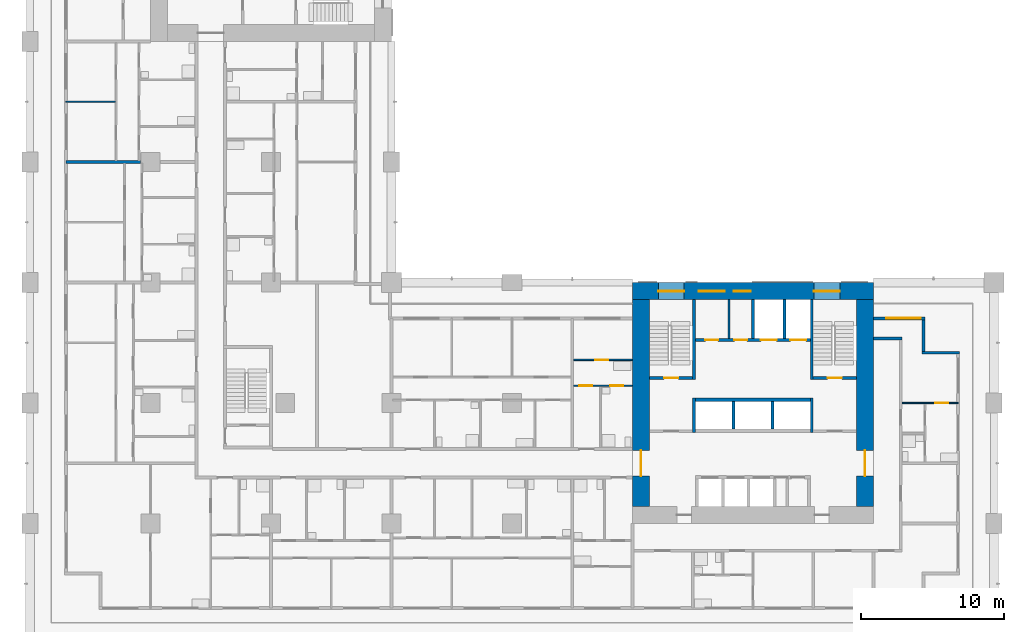
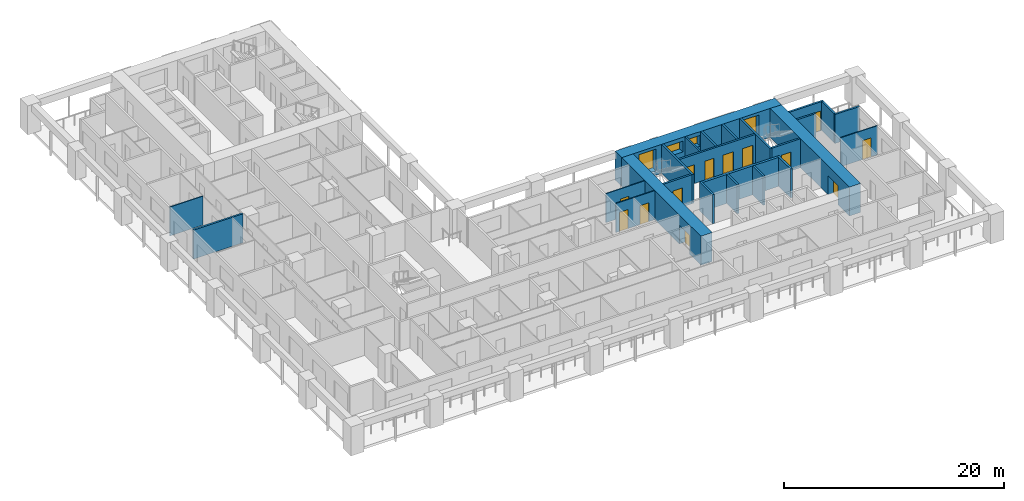
# One storey, part 7 of 19: 25 walls, 13 doors, 4 windows, 17 openings.
"""IFC4 building model written with IfcOpenShell, lengths in metres."""

import ifcopenshell
import ifcopenshell.guid

model = None  # the IFC model being written
_history = None  # IfcOwnerHistory: only IFC2X3 demands one
_inside = {}  # id of a spatial element -> (the spatial element, [elements in it])
_under = {}  # id of a project, library or spatial element -> (it, [spatial elements below it])
_declared = {}  # id of a project -> (the project, [libraries it declares])
_typed = {}  # id of a type object -> (the type object, [elements of that type])
_made_of = {}  # id of a material, layer set ... -> (it, [elements and type objects made of it])


def new_model(schema):
    """Start an empty IFC model of exactly this schema.

    Asked for "IFC4X3", IfcOpenShell would pick the latest addendum, in which some entities
    have other attributes; the version numbers below select the first issue.
    IFC2X3 requires an IfcOwnerHistory on every rooted entity: one is made here for all.
    """
    global model, _history
    if schema == "IFC4X3":
        model = ifcopenshell.file(schema_version=(4, 3, 0, 0))
    else:
        model = ifcopenshell.file(schema=schema)
    _inside.clear()
    _under.clear()
    _declared.clear()
    _typed.clear()
    _made_of.clear()
    _history = None
    if model.schema == "IFC2X3":
        org = make("IfcOrganization", Name="unknown")
        user = make(
            "IfcPersonAndOrganization",
            ThePerson=make("IfcPerson", FamilyName="unknown"),
            TheOrganization=org,
        )
        app = make(
            "IfcApplication",
            ApplicationDeveloper=org,
            Version="unknown",
            ApplicationFullName="unknown",
            ApplicationIdentifier="unknown",
        )
        _history = make(
            "IfcOwnerHistory",
            OwningUser=user,
            OwningApplication=app,
            ChangeAction="ADDED",
            CreationDate=0,
        )
    return model


def make(cls, **values):
    """One entity of the class cls with the attributes given. An attribute that is None is left unset."""
    return model.create_entity(
        cls, **{name: value for name, value in values.items() if value is not None}
    )


def rooted(cls, **values):
    """An entity with a GlobalId (a new one), such as an element, a storey or a relation."""
    return make(cls, GlobalId=ifcopenshell.guid.new(), OwnerHistory=_history, **values)


def si_unit(unit_type, name, prefix=None):
    """IfcSIUnit, for example si_unit("LENGTHUNIT", "METRE", prefix="MILLI")."""
    return make("IfcSIUnit", UnitType=unit_type, Prefix=prefix, Name=name)


def assignment(units):
    """IfcUnitAssignment: the units of a project."""
    return None if units is None else make("IfcUnitAssignment", Units=units)


def point(xyz):
    """IfcCartesianPoint."""
    return None if xyz is None else make("IfcCartesianPoint", Coordinates=xyz)


def direction(xyz):
    """IfcDirection."""
    return None if xyz is None else make("IfcDirection", DirectionRatios=xyz)


def frame(location, z_axis=None, x_axis=None):
    """IfcAxis2Placement3D, a coordinate frame: its origin and axes. An axis left out is left unset."""
    return make(
        "IfcAxis2Placement3D",
        Location=point(location),
        Axis=direction(z_axis),
        RefDirection=direction(x_axis),
    )


def frame_2d(location, x_axis=None):
    """IfcAxis2Placement2D, a coordinate frame in the plane: its origin and x axis."""
    return make(
        "IfcAxis2Placement2D", Location=point(location), RefDirection=direction(x_axis)
    )


def origin():
    """The frame at (0, 0, 0) with its axes left unset."""
    return frame((0.0, 0.0, 0.0))


def place(relative_to, where):
    """IfcLocalPlacement: puts the frame where relative to a parent placement (None: the world)."""
    return make(
        "IfcLocalPlacement", PlacementRelTo=relative_to, RelativePlacement=where
    )


def context(
    kind, dimensions, precision=None, world=None, true_north=None, identifier=None
):
    """IfcGeometricRepresentationContext, for example the 3D "Model" context."""
    return make(
        "IfcGeometricRepresentationContext",
        ContextIdentifier=identifier,
        ContextType=kind,
        CoordinateSpaceDimension=dimensions,
        Precision=precision,
        WorldCoordinateSystem=world,
        TrueNorth=true_north,
    )


def subcontext(parent, identifier, kind, view, scale=None):
    """IfcGeometricRepresentationSubContext, for example "Body" below "Model"."""
    return make(
        "IfcGeometricRepresentationSubContext",
        ContextIdentifier=identifier,
        ContextType=kind,
        ParentContext=parent,
        TargetScale=scale,
        TargetView=view,
    )


def project(units=None, contexts=None):
    """IfcProject with its units and contexts."""
    return rooted(
        "IfcProject",
        Name="project",
        RepresentationContexts=contexts,
        UnitsInContext=assignment(units),
    )


def spatial(cls, under=None, at=None, **own):
    """A site, building, storey or space (cls), placed at a placement, below another one or the project."""
    s = rooted(cls, ObjectPlacement=at, **own)
    if under is not None:
        _under.setdefault(under.id(), (under, []))[1].append(s)
    return s


def profile(cls, at=None, kind="AREA", **sizes):
    """A parametric profile (cls). Its sizes go by their IFC names, for example OverallWidth=200.0."""
    return make(cls, ProfileType=kind, Position=at, **sizes)


def rectangle(**sizes):
    """IfcRectangleProfileDef."""
    return profile("IfcRectangleProfileDef", **sizes)


def extrude(swept, where, along, depth):
    """IfcExtrudedAreaSolid: the profile swept, set in the frame where, extruded along a direction by depth."""
    return make(
        "IfcExtrudedAreaSolid",
        SweptArea=swept,
        Position=where,
        ExtrudedDirection=direction(along),
        Depth=depth,
    )


def shape(context_of_items, identifier, shape_type, items):
    """IfcShapeRepresentation: the items that make up one representation, for example the "Body"."""
    return make(
        "IfcShapeRepresentation",
        ContextOfItems=context_of_items,
        RepresentationIdentifier=identifier,
        RepresentationType=shape_type,
        Items=items,
    )


def material(Name=None, Category=None):
    """IfcMaterial."""
    return make("IfcMaterial", Name=Name, Category=Category)


def layer(
    of_material, thickness, ventilated=None, Name=None, Category=None, Priority=None
):
    """IfcMaterialLayer: one layer of a wall or slab, of a material (None: an air gap)."""
    return make(
        "IfcMaterialLayer",
        Material=of_material,
        LayerThickness=thickness,
        IsVentilated=ventilated,
        Name=Name,
        Category=Category,
        Priority=Priority,
    )


def layer_set(layers, Name=None):
    """IfcMaterialLayerSet."""
    return make("IfcMaterialLayerSet", MaterialLayers=layers, LayerSetName=Name)


def made_of(thing, what):
    """Note that an element or type object is made of a material, layer set ...; save() writes the relation."""
    if what is not None:
        _made_of.setdefault(what.id(), (what, []))[1].append(thing)
    return thing


def type_object(cls, material=None, **own):
    """A type object (cls), such as IfcWallType, which elements share."""
    return made_of(rooted(cls, **own), material)


def element(
    cls,
    number,
    at=None,
    inside=None,
    cuts=None,
    type_object=None,
    material=None,
    context=None,
    identifier="Body",
    shape_type=None,
    held_by="IfcProductDefinitionShape",
    body=None,
    shapes=None,
    **own,
):
    """One element of the class cls, such as IfcWall. Its Tag is "e" and its number.

    at: its placement. inside: the storey or other place that contains it. cuts: it is an
    opening in that element (IfcRelVoidsElement). A single representation is given by context,
    identifier, shape_type and body (its items); several are given by shapes. held_by: the class
    of the entity that holds the representations. save() writes the other relations.
    """
    e = rooted(cls, Tag="e%d" % number, ObjectPlacement=at, **own)
    if body is not None:
        shapes = [shape(context, identifier, shape_type, body)]
    if shapes is not None:
        e.Representation = make(held_by, Representations=shapes)
    if inside is not None:
        _inside.setdefault(inside.id(), (inside, []))[1].append(e)
    if cuts is not None:
        rooted(
            "IfcRelVoidsElement", RelatingBuildingElement=cuts, RelatedOpeningElement=e
        )
    if type_object is not None:
        _typed.setdefault(type_object.id(), (type_object, []))[1].append(e)
    return made_of(e, material)


def fill(opening, filler):
    """IfcRelFillsElement: the door or window that sits in an opening."""
    return rooted(
        "IfcRelFillsElement",
        RelatingOpeningElement=opening,
        RelatedBuildingElement=filler,
    )


def aggregate(whole, parts):
    """IfcRelAggregates: a whole, such as a stair, and the parts it consists of."""
    return rooted("IfcRelAggregates", RelatingObject=whole, RelatedObjects=parts)


def save(model, path):
    """Write the relations noted so far, then the file.

    IfcRelAggregates (storeys below a building ...), IfcRelContainedInSpatialStructure (elements
    in a storey), IfcRelDefinesByType, IfcRelAssociatesMaterial and IfcRelDeclares: one each for
    every whole, place, type object, material and project.
    """
    for whole, parts in _under.values():
        aggregate(whole, parts)
    for where, things in _inside.values():
        rooted(
            "IfcRelContainedInSpatialStructure",
            RelatedElements=things,
            RelatingStructure=where,
        )
    for kind, things in _typed.values():
        rooted("IfcRelDefinesByType", RelatedObjects=things, RelatingType=kind)
    for what, things in _made_of.values():
        rooted("IfcRelAssociatesMaterial", RelatedObjects=things, RelatingMaterial=what)
    for by, libraries in _declared.values():
        rooted("IfcRelDeclares", RelatingContext=by, RelatedDefinitions=libraries)
    model.write(path)


model = new_model("IFC4")

# Units and contexts
model_context = context("Model", 3, precision=1e-05, world=origin(), true_north=direction((0.0, 1.0)))
body_context = subcontext(model_context, "Body", "Model", "MODEL_VIEW")
ifc_project = project(units=[si_unit("LENGTHUNIT", "METRE"), si_unit("AREAUNIT", "SQUARE_METRE"), si_unit("VOLUMEUNIT", "CUBIC_METRE"), si_unit("PLANEANGLEUNIT", "RADIAN"), si_unit("MASSUNIT", "GRAM", prefix="KILO")], contexts=[model_context])

# Site, building, storey
site_placement = place(None, origin())
site = spatial("IfcSite", under=ifc_project, at=site_placement, CompositionType="ELEMENT")
building_placement = place(site_placement, origin())
building = spatial("IfcBuilding", under=site, at=building_placement, Name="Vermilion Gate Residences", CompositionType="ELEMENT")
storey_placement = place(building_placement, frame((0.0, 0.0, 53.199951171875)))
storey = spatial("IfcBuildingStorey", under=building, at=storey_placement, Name="L12", CompositionType="ELEMENT", Elevation=53.199951171875)

# Walls
ifc_material_1 = material(Name="Masonry blockwork", Category="masonry")
ifc_layer_1 = layer(ifc_material_1, 0.14990234375)
ifc_layer_set_1 = layer_set([ifc_layer_1], Name="BLOCKWORK PARTITION 150 EI 120")
wall_type_1 = type_object("IfcWallType", Name="BLOCKWORK PARTITION 150 EI 120", PredefinedType="PARTITIONING", material=ifc_layer_set_1)
wall_1_placement = place(storey_placement, frame((48.72509765625, 21.300048828125, 0.0), z_axis=(0.0, 0.0, 1.0), x_axis=(0.0, 1.0, 0.0)))
element("IfcWall", 1, at=wall_1_placement, inside=storey, type_object=wall_type_1, Name="Core room partition A12-NR-P0", PredefinedType="PARTITIONING", context=body_context, shape_type="SweptSolid", body=[
    extrude(rectangle(XDim=2.699951171875, YDim=0.14990234375, at=frame_2d((1.35009765625, 0.0))), origin(), (0.0, 0.0, 1.0), 3.219970703125),
])
ifc_material_2 = material(Name="Insulated steel stud wall with terracotta rainscreen", Category="masonry")
ifc_layer_2 = layer(ifc_material_2, 0.199951171875)
ifc_layer_set_2 = layer_set([ifc_layer_2], Name="EXTERNAL WALL 200 TERRACOTTA RAINSCREEN")
wall_type_2 = type_object("IfcWallType", Name="EXTERNAL WALL 200 TERRACOTTA RAINSCREEN", PredefinedType="SOLIDWALL", material=ifc_layer_set_2)
wall_2_placement = place(storey_placement, frame((64.800048828125, 20.300048828125, 0.0), z_axis=(0.0, 0.0, 1.0), x_axis=(-1.0, 0.0, 0.0)))
element("IfcWall", 2, at=wall_2_placement, inside=storey, type_object=wall_type_2, Name="External wall", PredefinedType="SOLIDWALL", context=body_context, shape_type="SweptSolid", body=[
    extrude(rectangle(XDim=2.60009765625, YDim=0.199951171875, at=frame_2d((1.300048828125, 0.0))), origin(), (0.0, 0.0, 1.0), 3.219970703125),
])
wall_3_placement = place(storey_placement, frame((62.300048828125, 20.39990234375, 0.0), z_axis=(0.0, 0.0, 1.0), x_axis=(0.0, 1.0, 0.0)))
element("IfcWall", 3, at=wall_3_placement, inside=storey, type_object=wall_type_2, Name="External wall", PredefinedType="SOLIDWALL", context=body_context, shape_type="SweptSolid", body=[
    extrude(rectangle(XDim=2.2001953125, YDim=0.199951171875, at=frame_2d((1.10009765625, 0.0))), origin(), (0.0, 0.0, 1.0), 3.219970703125),
])

# Wall, opening, door
wall_4_placement = place(storey_placement, frame((62.39990234375, 22.699951171875, 0.0), z_axis=(0.0, 0.0, 1.0), x_axis=(-1.0, 0.0, 0.0)))
wall_4 = element("IfcWall", 4, at=wall_4_placement, inside=storey, type_object=wall_type_2, Name="External wall", PredefinedType="SOLIDWALL", context=body_context, shape_type="SweptSolid", body=[
    extrude(rectangle(XDim=3.599853515625, YDim=0.199951171875, at=frame_2d((1.7998046875, 0.0))), origin(), (0.0, 0.0, 1.0), 3.219970703125),
])
opening_1_placement = place(wall_4_placement, frame((0.300048828125, 0.0, 0.0)))
opening_1 = element("IfcOpeningElement", 5, at=opening_1_placement, cuts=wall_4, Name="Opening DE12032", PredefinedType="OPENING", context=body_context, shape_type="SweptSolid", body=[
    extrude(rectangle(XDim=2.39990234375, YDim=2.199951171875, at=frame_2d((1.199951171875, 1.10009765625))), frame((0.0, 0.10986328125, 0.0), z_axis=(0.0, -1.0, 0.0), x_axis=(1.0, 0.0, 0.0)), (0.0, 0.0, 1.0), 0.219970703125),
])
ifc_material_3 = material(Name="Aluminium and clear glass", Category="aluminium")
door_type_1 = type_object("IfcDoorType", Name="SLIDING GLAZED DOOR 2400 X 2200", OperationType="DOUBLE_DOOR_SLIDING", PredefinedType="DOOR", material=ifc_material_3)
door_1_placement = place(opening_1_placement, origin())
door_1 = element("IfcDoor", 6, at=door_1_placement, inside=storey, type_object=door_type_1, Name="Loggia sliding door", OperationType="DOUBLE_DOOR_SLIDING", OverallHeight=2.199951171875, OverallWidth=2.39990234375, PredefinedType="DOOR", context=body_context, shape_type="SweptSolid", body=[
    extrude(rectangle(XDim=2.39990234375, YDim=2.199951171875, at=frame_2d((1.199951171875, 1.10009765625))), frame((0.0, 0.02490234375, 0.0), z_axis=(0.0, -1.0, 0.0), x_axis=(1.0, 0.0, 0.0)), (0.0, 0.0, 1.0), 0.050048828125),
])
fill(opening_1, door_1)

ifc_material_4 = material(Name="Plasterboard on steel studs", Category="steel")
ifc_layer_3 = layer(ifc_material_4, 0.10009765625)
ifc_layer_set_3 = layer_set([ifc_layer_3], Name="PARTITION 100")
wall_type_3 = type_object("IfcWallType", Name="PARTITION 100", PredefinedType="PARTITIONING", material=ifc_layer_set_3)
wall_5_placement = place(storey_placement, frame((60.800048828125, 16.800048828125, 0.0), z_axis=(0.0, 0.0, 1.0), x_axis=(1.0, 0.0, 0.0)))
wall_5 = element("IfcWall", 7, at=wall_5_placement, inside=storey, type_object=wall_type_3, Name="Partition", PredefinedType="PARTITIONING", context=body_context, shape_type="SweptSolid", body=[
    extrude(rectangle(XDim=3.89990234375, YDim=0.10009765625, at=frame_2d((1.949951171875, 0.0))), origin(), (0.0, 0.0, 1.0), 3.219970703125),
])
opening_2_placement = place(wall_5_placement, frame((2.300048828125, 0.0, 0.0)))
opening_2 = element("IfcOpeningElement", 8, at=opening_2_placement, cuts=wall_5, Name="Opening DA10031", PredefinedType="OPENING", context=body_context, shape_type="SweptSolid", body=[
    extrude(rectangle(XDim=0.89990234375, YDim=2.10009765625, at=frame_2d((0.449951171875, 1.050048828125))), frame((0.0, 0.06005859375, 0.0), z_axis=(0.0, -1.0, 0.0), x_axis=(1.0, 0.0, 0.0)), (0.0, 0.0, 1.0), 0.1201171875),
])
ifc_material_5 = material(Name="Timber", Category="wood")
door_type_2 = type_object("IfcDoorType", Name="INTERIOR DOOR 900 X 2100", OperationType="SINGLE_SWING_LEFT", PredefinedType="DOOR", material=ifc_material_5)
door_2_placement = place(opening_2_placement, frame((0.89990234375, 0.0, 0.0), z_axis=(0.0, 0.0, 1.0), x_axis=(-1.0, 0.0, 0.0)))
door_2 = element("IfcDoor", 9, at=door_2_placement, inside=storey, type_object=door_type_2, Name="Interior door", OperationType="SINGLE_SWING_LEFT", OverallHeight=2.10009765625, OverallWidth=0.89990234375, PredefinedType="DOOR", context=body_context, shape_type="SweptSolid", body=[
    extrude(rectangle(XDim=0.89990234375, YDim=2.10009765625, at=frame_2d((0.449951171875, 1.050048828125))), frame((0.0, 0.02490234375, 0.0), z_axis=(0.0, -1.0, 0.0), x_axis=(1.0, 0.0, 0.0)), (0.0, 0.0, 1.0), 0.050048828125),
])
fill(opening_2, door_2)

# Wall, openings, doors
wall_6_placement = place(storey_placement, frame((37.89990234375, 18.0, 0.0), z_axis=(0.0, 0.0, 1.0), x_axis=(1.0, 0.0, 0.0)))
wall_6 = element("IfcWall", 10, at=wall_6_placement, inside=storey, type_object=wall_type_3, Name="Partition", PredefinedType="PARTITIONING", context=body_context, shape_type="SweptSolid", body=[
    extrude(rectangle(XDim=4.10009765625, YDim=0.10009765625, at=frame_2d((2.050048828125, 0.0))), origin(), (0.0, 0.0, 1.0), 3.219970703125),
])
opening_3_placement = place(wall_6_placement, frame((0.39990234375, 0.0, 0.0)))
opening_3 = element("IfcOpeningElement", 11, at=opening_3_placement, cuts=wall_6, Name="Opening DA10036", PredefinedType="OPENING", context=body_context, shape_type="SweptSolid", body=[
    extrude(rectangle(XDim=0.89990234375, YDim=2.10009765625, at=frame_2d((0.449951171875, 1.050048828125))), frame((0.0, 0.06005859375, 0.0), z_axis=(0.0, -1.0, 0.0), x_axis=(1.0, 0.0, 0.0)), (0.0, 0.0, 1.0), 0.1201171875),
])
opening_4_placement = place(wall_6_placement, frame((2.56005859375, 0.0, 0.0)))
opening_4 = element("IfcOpeningElement", 12, at=opening_4_placement, cuts=wall_6, Name="Opening DA10037", PredefinedType="OPENING", context=body_context, shape_type="SweptSolid", body=[
    extrude(rectangle(XDim=0.89990234375, YDim=2.10009765625, at=frame_2d((0.449951171875, 1.050048828125))), frame((0.0, 0.06005859375, 0.0), z_axis=(0.0, -1.0, 0.0), x_axis=(1.0, 0.0, 0.0)), (0.0, 0.0, 1.0), 0.1201171875),
])
door_3_placement = place(opening_3_placement, origin())
door_3 = element("IfcDoor", 13, at=door_3_placement, inside=storey, type_object=door_type_2, Name="Interior door", OperationType="SINGLE_SWING_LEFT", OverallHeight=2.10009765625, OverallWidth=0.89990234375, PredefinedType="DOOR", context=body_context, shape_type="SweptSolid", body=[
    extrude(rectangle(XDim=0.89990234375, YDim=2.10009765625, at=frame_2d((0.449951171875, 1.050048828125))), frame((0.0, 0.02490234375, 0.0), z_axis=(0.0, -1.0, 0.0), x_axis=(1.0, 0.0, 0.0)), (0.0, 0.0, 1.0), 0.050048828125),
])
fill(opening_3, door_3)
door_4_placement = place(opening_4_placement, origin())
door_4 = element("IfcDoor", 14, at=door_4_placement, inside=storey, type_object=door_type_2, Name="Interior door", OperationType="SINGLE_SWING_RIGHT", OverallHeight=2.10009765625, OverallWidth=0.89990234375, PredefinedType="DOOR", context=body_context, shape_type="SweptSolid", body=[
    extrude(rectangle(XDim=0.89990234375, YDim=2.10009765625, at=frame_2d((0.449951171875, 1.050048828125))), frame((0.0, 0.02490234375, 0.0), z_axis=(0.0, -1.0, 0.0), x_axis=(1.0, 0.0, 0.0)), (0.0, 0.0, 1.0), 0.050048828125),
])
fill(opening_4, door_4)

# Wall, opening, door
wall_7_placement = place(storey_placement, frame((37.89990234375, 19.800048828125, 0.0), z_axis=(0.0, 0.0, 1.0), x_axis=(1.0, 0.0, 0.0)))
wall_7 = element("IfcWall", 15, at=wall_7_placement, inside=storey, type_object=wall_type_3, Name="Partition", PredefinedType="PARTITIONING", context=body_context, shape_type="SweptSolid", body=[
    extrude(rectangle(XDim=4.10009765625, YDim=0.10009765625, at=frame_2d((2.050048828125, 0.0))), origin(), (0.0, 0.0, 1.0), 3.219970703125),
])
opening_5_placement = place(wall_7_placement, frame((1.5, 0.0, 0.0)))
opening_5 = element("IfcOpeningElement", 16, at=opening_5_placement, cuts=wall_7, Name="Opening DA10041", PredefinedType="OPENING", context=body_context, shape_type="SweptSolid", body=[
    extrude(rectangle(XDim=0.89990234375, YDim=2.10009765625, at=frame_2d((0.449951171875, 1.050048828125))), frame((0.0, 0.06005859375, 0.0), z_axis=(0.0, -1.0, 0.0), x_axis=(1.0, 0.0, 0.0)), (0.0, 0.0, 1.0), 0.1201171875),
])
door_5_placement = place(opening_5_placement, frame((0.89990234375, 0.0, 0.0), z_axis=(0.0, 0.0, 1.0), x_axis=(-1.0, 0.0, 0.0)))
door_5 = element("IfcDoor", 17, at=door_5_placement, inside=storey, type_object=door_type_2, Name="Interior door", OperationType="SINGLE_SWING_LEFT", OverallHeight=2.10009765625, OverallWidth=0.89990234375, PredefinedType="DOOR", context=body_context, shape_type="SweptSolid", body=[
    extrude(rectangle(XDim=0.89990234375, YDim=2.10009765625, at=frame_2d((0.449951171875, 1.050048828125))), frame((0.0, 0.02490234375, 0.0), z_axis=(0.0, -1.0, 0.0), x_axis=(1.0, 0.0, 0.0)), (0.0, 0.0, 1.0), 0.050048828125),
])
fill(opening_5, door_5)

# Walls
wall_8_placement = place(storey_placement, frame((2.5, 37.800048828125, 0.0), z_axis=(0.0, 0.0, 1.0), x_axis=(1.0, 0.0, 0.0)))
element("IfcWall", 18, at=wall_8_placement, inside=storey, type_object=wall_type_3, Name="Partition", PredefinedType="PARTITIONING", context=body_context, shape_type="SweptSolid", body=[
    extrude(rectangle(XDim=3.449951171875, YDim=0.10009765625, at=frame_2d((1.72509765625, 0.0))), origin(), (0.0, 0.0, 1.0), 3.219970703125),
])
ifc_material_6 = material(Name="Fire-rated plasterboard on steel studs", Category="steel")
ifc_layer_4 = layer(ifc_material_6, 0.199951171875)
ifc_layer_set_4 = layer_set([ifc_layer_4], Name="PARTY WALL 200 EI 120")
wall_type_4 = type_object("IfcWallType", Name="PARTY WALL 200 EI 120", PredefinedType="PARTITIONING", material=ifc_layer_set_4)
wall_9_placement = place(storey_placement, frame((58.800048828125, 21.300048828125, 0.0), z_axis=(0.0, 0.0, 1.0), x_axis=(1.0, 0.0, 0.0)))
element("IfcWall", 19, at=wall_9_placement, inside=storey, type_object=wall_type_4, Name="Party and corridor wall", PredefinedType="PARTITIONING", context=body_context, shape_type="SweptSolid", body=[
    extrude(rectangle(XDim=2.0, YDim=0.199951171875, at=frame_2d((1.0, 0.0))), origin(), (0.0, 0.0, 1.0), 3.219970703125),
])
wall_10_placement = place(storey_placement, frame((2.5, 33.60009765625, 0.0), z_axis=(0.0, 0.0, 1.0), x_axis=(1.0, 0.0, 0.0)))
element("IfcWall", 20, at=wall_10_placement, inside=storey, type_object=wall_type_4, Name="Party and corridor wall", PredefinedType="PARTITIONING", context=body_context, shape_type="SweptSolid", body=[
    extrude(rectangle(XDim=5.199951171875, YDim=0.199951171875, at=frame_2d((2.60009765625, 0.0))), origin(), (0.0, 0.0, 1.0), 3.219970703125),
])
ifc_material_7 = material(Name="Concrete C60", Category="concrete")
ifc_layer_5 = layer(ifc_material_7, 0.199951171875)
ifc_layer_set_5 = layer_set([ifc_layer_5], Name="RC CORE INTERNAL WALL 200 C60")
wall_type_5 = type_object("IfcWallType", Name="RC CORE INTERNAL WALL 200 C60", PredefinedType="SHEAR", material=ifc_layer_set_5)
for number, where, z_axis, x_axis, name in (
    (21, (49.033447265625, 15.0, 0.0), (0.0, 0.0, 1.0), (0.0, 1.0, 0.0), "Core internal wall A12-HR-D1"),
    (22, (51.7666015625, 15.0, 0.0), (0.0, 0.0, 1.0), (0.0, 1.0, 0.0), "Core internal wall A12-HR-D2"),
):
    element("IfcWall", number, at=place(storey_placement, frame(where, z_axis=z_axis, x_axis=x_axis)), inside=storey, type_object=wall_type_5, Name=name, PredefinedType="SHEAR", context=body_context, shape_type="SweptSolid", body=[
        extrude(rectangle(XDim=1.89990234375, YDim=0.199951171875, at=frame_2d((0.949951171875, 0.0))), origin(), (0.0, 0.0, 1.0), 3.219970703125),
    ])
for number, where, z_axis, x_axis, name in (
    (23, (50.39990234375, 21.300048828125, 0.0), (0.0, 0.0, 1.0), (0.0, 1.0, 0.0), "Core internal wall A12-FF-D0"),
    (24, (52.60009765625, 21.300048828125, 0.0), (0.0, 0.0, 1.0), (0.0, 1.0, 0.0), "Core internal wall A12-FF-D1"),
):
    element("IfcWall", number, at=place(storey_placement, frame(where, z_axis=z_axis, x_axis=x_axis)), inside=storey, type_object=wall_type_5, Name=name, PredefinedType="SHEAR", context=body_context, shape_type="SweptSolid", body=[
        extrude(rectangle(XDim=2.699951171875, YDim=0.199951171875, at=frame_2d((1.35009765625, 0.0))), origin(), (0.0, 0.0, 1.0), 3.219970703125),
    ])

# Wall, openings, doors
wall_11_placement = place(storey_placement, frame((46.39990234375, 21.199951171875, 0.0), z_axis=(0.0, 0.0, 1.0), x_axis=(1.0, 0.0, 0.0)))
wall_11 = element("IfcWall", 25, at=wall_11_placement, inside=storey, type_object=wall_type_5, Name="Core internal wall A12-FF-F", PredefinedType="SHEAR", context=body_context, shape_type="SweptSolid", body=[
    extrude(rectangle(XDim=8.0, YDim=0.199951171875, at=frame_2d((4.0, 0.0))), origin(), (0.0, 0.0, 1.0), 3.219970703125),
])
opening_6_placement = place(wall_11_placement, frame((0.675048828125, 0.0, 0.0)))
opening_6 = element("IfcOpeningElement", 26, at=opening_6_placement, cuts=wall_11, Name="Opening DK12010", PredefinedType="OPENING", context=body_context, shape_type="SweptSolid", body=[
    extrude(rectangle(XDim=0.89990234375, YDim=2.10009765625, at=frame_2d((0.449951171875, 1.050048828125))), frame((0.0, 0.10986328125, 0.0), z_axis=(0.0, -1.0, 0.0), x_axis=(1.0, 0.0, 0.0)), (0.0, 0.0, 1.0), 0.219970703125),
])
opening_7_placement = place(wall_11_placement, frame((2.699951171875, 0.0, 0.0)))
opening_7 = element("IfcOpeningElement", 27, at=opening_7_placement, cuts=wall_11, Name="Opening DK12011", PredefinedType="OPENING", context=body_context, shape_type="SweptSolid", body=[
    extrude(rectangle(XDim=0.89990234375, YDim=2.10009765625, at=frame_2d((0.449951171875, 1.050048828125))), frame((0.0, 0.10986328125, 0.0), z_axis=(0.0, -1.0, 0.0), x_axis=(1.0, 0.0, 0.0)), (0.0, 0.0, 1.0), 0.219970703125),
])
opening_8_placement = place(wall_11_placement, frame((4.550048828125, 0.0, 0.0)))
opening_8 = element("IfcOpeningElement", 28, at=opening_8_placement, cuts=wall_11, Name="Opening LD", PredefinedType="OPENING", context=body_context, shape_type="SweptSolid", body=[
    extrude(rectangle(XDim=1.10009765625, YDim=2.10009765625, at=frame_2d((0.550048828125, 1.050048828125))), frame((0.0, 0.10986328125, 0.0), z_axis=(0.0, -1.0, 0.0), x_axis=(1.0, 0.0, 0.0)), (0.0, 0.0, 1.0), 0.219970703125),
])
opening_9_placement = place(wall_11_placement, frame((6.60009765625, 0.0, 0.0)))
opening_9 = element("IfcOpeningElement", 29, at=opening_9_placement, cuts=wall_11, Name="Opening LD", PredefinedType="OPENING", context=body_context, shape_type="SweptSolid", body=[
    extrude(rectangle(XDim=1.10009765625, YDim=2.10009765625, at=frame_2d((0.550048828125, 1.050048828125))), frame((0.0, 0.10986328125, 0.0), z_axis=(0.0, -1.0, 0.0), x_axis=(1.0, 0.0, 0.0)), (0.0, 0.0, 1.0), 0.219970703125),
])
ifc_material_8 = material(Name="Stainless steel", Category="steel")
door_type_3 = type_object("IfcDoorType", Name="LIFT LANDING DOOR E60 1100 X 2100", OperationType="DOUBLE_DOOR_SLIDING", PredefinedType="DOOR", material=ifc_material_8)
door_6_placement = place(opening_8_placement, origin())
door_6 = element("IfcDoor", 30, at=door_6_placement, inside=storey, type_object=door_type_3, Name="Lift landing door LFA1", OperationType="DOUBLE_DOOR_SLIDING", OverallHeight=2.10009765625, OverallWidth=1.10009765625, PredefinedType="DOOR", context=body_context, shape_type="SweptSolid", body=[
    extrude(rectangle(XDim=1.10009765625, YDim=2.10009765625, at=frame_2d((0.550048828125, 1.050048828125))), frame((0.0, 0.02490234375, 0.0), z_axis=(0.0, -1.0, 0.0), x_axis=(1.0, 0.0, 0.0)), (0.0, 0.0, 1.0), 0.050048828125),
])
fill(opening_8, door_6)
door_7_placement = place(opening_9_placement, origin())
door_7 = element("IfcDoor", 31, at=door_7_placement, inside=storey, type_object=door_type_3, Name="Lift landing door LCA1", OperationType="DOUBLE_DOOR_SLIDING", OverallHeight=2.10009765625, OverallWidth=1.10009765625, PredefinedType="DOOR", context=body_context, shape_type="SweptSolid", body=[
    extrude(rectangle(XDim=1.10009765625, YDim=2.10009765625, at=frame_2d((0.550048828125, 1.050048828125))), frame((0.0, 0.02490234375, 0.0), z_axis=(0.0, -1.0, 0.0), x_axis=(1.0, 0.0, 0.0)), (0.0, 0.0, 1.0), 0.050048828125),
])
fill(opening_9, door_7)
ifc_material_9 = material(Name="Steel", Category="steel")
door_type_4 = type_object("IfcDoorType", Name="SERVICE ROOM DOOR FD60 900 X 2100", OperationType="SINGLE_SWING_LEFT", PredefinedType="DOOR", material=ifc_material_9)
door_8_placement = place(opening_6_placement, origin())
door_8 = element("IfcDoor", 32, at=door_8_placement, inside=storey, type_object=door_type_4, Name="Parcel room A12", OperationType="SINGLE_SWING_LEFT", OverallHeight=2.10009765625, OverallWidth=0.89990234375, PredefinedType="DOOR", context=body_context, shape_type="SweptSolid", body=[
    extrude(rectangle(XDim=0.89990234375, YDim=2.10009765625, at=frame_2d((0.449951171875, 1.050048828125))), frame((0.0, 0.02490234375, 0.0), z_axis=(0.0, -1.0, 0.0), x_axis=(1.0, 0.0, 0.0)), (0.0, 0.0, 1.0), 0.050048828125),
])
fill(opening_6, door_8)
door_9_placement = place(opening_7_placement, frame((0.89990234375, 0.0, 0.0), z_axis=(0.0, 0.0, 1.0), x_axis=(-1.0, 0.0, 0.0)))
door_9 = element("IfcDoor", 33, at=door_9_placement, inside=storey, type_object=door_type_4, Name="Electrical room A12", OperationType="SINGLE_SWING_RIGHT", OverallHeight=2.10009765625, OverallWidth=0.89990234375, PredefinedType="DOOR", context=body_context, shape_type="SweptSolid", body=[
    extrude(rectangle(XDim=0.89990234375, YDim=2.10009765625, at=frame_2d((0.449951171875, 1.050048828125))), frame((0.0, 0.02490234375, 0.0), z_axis=(0.0, -1.0, 0.0), x_axis=(1.0, 0.0, 0.0)), (0.0, 0.0, 1.0), 0.050048828125),
])
fill(opening_7, door_9)

# Walls
wall_12_placement = place(storey_placement, frame((46.300048828125, 14.75, 0.0), z_axis=(0.0, 0.0, 1.0), x_axis=(0.0, 1.0, 0.0)))
element("IfcWall", 34, at=wall_12_placement, inside=storey, type_object=wall_type_5, Name="Core internal wall A12-WDIV1", PredefinedType="SHEAR", context=body_context, shape_type="SweptSolid", body=[
    extrude(rectangle(XDim=2.39990234375, YDim=0.199951171875, at=frame_2d((1.199951171875, 0.0))), origin(), (0.0, 0.0, 1.0), 3.219970703125),
])
wall_13_placement = place(storey_placement, frame((46.300048828125, 18.449951171875, 0.0), z_axis=(0.0, 0.0, 1.0), x_axis=(0.0, 1.0, 0.0)))
element("IfcWall", 35, at=wall_13_placement, inside=storey, type_object=wall_type_5, Name="Core internal wall A12-WDIV2", PredefinedType="SHEAR", context=body_context, shape_type="SweptSolid", body=[
    extrude(rectangle(XDim=5.550048828125, YDim=0.199951171875, at=frame_2d((2.77490234375, 0.0))), origin(), (0.0, 0.0, 1.0), 3.219970703125),
])

# Wall, opening, door
wall_14_placement = place(storey_placement, frame((43.199951171875, 18.550048828125, 0.0), z_axis=(0.0, 0.0, 1.0), x_axis=(1.0, 0.0, 0.0)))
wall_14 = element("IfcWall", 36, at=wall_14_placement, inside=storey, type_object=wall_type_5, Name="Core internal wall A12-STW-S", PredefinedType="SHEAR", context=body_context, shape_type="SweptSolid", body=[
    extrude(rectangle(XDim=3.0, YDim=0.199951171875, at=frame_2d((1.5, 0.0))), origin(), (0.0, 0.0, 1.0), 3.219970703125),
])
opening_10_placement = place(wall_14_placement, frame((1.0, 0.0, 0.0)))
opening_10 = element("IfcOpeningElement", 37, at=opening_10_placement, cuts=wall_14, Name="Opening DK12015", PredefinedType="OPENING", context=body_context, shape_type="SweptSolid", body=[
    extrude(rectangle(XDim=1.0, YDim=2.10009765625, at=frame_2d((0.5, 1.050048828125))), frame((0.0, 0.10986328125, 0.0), z_axis=(0.0, -1.0, 0.0), x_axis=(1.0, 0.0, 0.0)), (0.0, 0.0, 1.0), 0.219970703125),
])
ifc_material_10 = material(Name="Steel", Category="steel")
door_type_5 = type_object("IfcDoorType", Name="FIRE DOOR FD60 1000 X 2100", OperationType="SINGLE_SWING_LEFT", PredefinedType="DOOR", material=ifc_material_10)
door_10_placement = place(opening_10_placement, origin())
door_10 = element("IfcDoor", 38, at=door_10_placement, inside=storey, type_object=door_type_5, Name="Stair door A12", OperationType="SINGLE_SWING_LEFT", OverallHeight=2.10009765625, OverallWidth=1.0, PredefinedType="DOOR", context=body_context, shape_type="SweptSolid", body=[
    extrude(rectangle(XDim=1.0, YDim=2.10009765625, at=frame_2d((0.5, 1.050048828125))), frame((0.0, 0.02490234375, 0.0), z_axis=(0.0, -1.0, 0.0), x_axis=(1.0, 0.0, 0.0)), (0.0, 0.0, 1.0), 0.050048828125),
])
fill(opening_10, door_10)

# Walls
wall_15_placement = place(storey_placement, frame((54.5, 14.75, 0.0), z_axis=(0.0, 0.0, 1.0), x_axis=(0.0, 1.0, 0.0)))
element("IfcWall", 39, at=wall_15_placement, inside=storey, type_object=wall_type_5, Name="Core internal wall A12-EDIV1", PredefinedType="SHEAR", context=body_context, shape_type="SweptSolid", body=[
    extrude(rectangle(XDim=2.39990234375, YDim=0.199951171875, at=frame_2d((1.199951171875, 0.0))), origin(), (0.0, 0.0, 1.0), 3.219970703125),
])
wall_16_placement = place(storey_placement, frame((54.5, 18.449951171875, 0.0), z_axis=(0.0, 0.0, 1.0), x_axis=(0.0, 1.0, 0.0)))
element("IfcWall", 40, at=wall_16_placement, inside=storey, type_object=wall_type_5, Name="Core internal wall A12-EDIV2", PredefinedType="SHEAR", context=body_context, shape_type="SweptSolid", body=[
    extrude(rectangle(XDim=5.550048828125, YDim=0.199951171875, at=frame_2d((2.77490234375, 0.0))), origin(), (0.0, 0.0, 1.0), 3.219970703125),
])

# Wall, opening, door
wall_17_placement = place(storey_placement, frame((54.60009765625, 18.550048828125, 0.0), z_axis=(0.0, 0.0, 1.0), x_axis=(1.0, 0.0, 0.0)))
wall_17 = element("IfcWall", 41, at=wall_17_placement, inside=storey, type_object=wall_type_5, Name="Core internal wall A12-STE-S", PredefinedType="SHEAR", context=body_context, shape_type="SweptSolid", body=[
    extrude(rectangle(XDim=3.0, YDim=0.199951171875, at=frame_2d((1.5, 0.0))), origin(), (0.0, 0.0, 1.0), 3.219970703125),
])
opening_11_placement = place(wall_17_placement, frame((1.0, 0.0, 0.0)))
opening_11 = element("IfcOpeningElement", 42, at=opening_11_placement, cuts=wall_17, Name="Opening DK12017", PredefinedType="OPENING", context=body_context, shape_type="SweptSolid", body=[
    extrude(rectangle(XDim=1.0, YDim=2.10009765625, at=frame_2d((0.5, 1.050048828125))), frame((0.0, 0.10986328125, 0.0), z_axis=(0.0, -1.0, 0.0), x_axis=(1.0, 0.0, 0.0)), (0.0, 0.0, 1.0), 0.219970703125),
])
door_11_placement = place(opening_11_placement, origin())
door_11 = element("IfcDoor", 43, at=door_11_placement, inside=storey, type_object=door_type_5, Name="Stair door A12", OperationType="SINGLE_SWING_LEFT", OverallHeight=2.10009765625, OverallWidth=1.0, PredefinedType="DOOR", context=body_context, shape_type="SweptSolid", body=[
    extrude(rectangle(XDim=1.0, YDim=2.10009765625, at=frame_2d((0.5, 1.050048828125))), frame((0.0, 0.02490234375, 0.0), z_axis=(0.0, -1.0, 0.0), x_axis=(1.0, 0.0, 0.0)), (0.0, 0.0, 1.0), 0.050048828125),
])
fill(opening_11, door_11)

ifc_material_11 = material(Name="Concrete C80", Category="concrete")
ifc_layer_6 = layer(ifc_material_11, 1.199951171875)
ifc_layer_set_6 = layer_set([ifc_layer_6], Name="RC CORE WALL 1200 C80")
wall_type_6 = type_object("IfcWallType", Name="RC CORE WALL 1200 C80", PredefinedType="SHEAR", material=ifc_layer_set_6)
wall_18_placement = place(storey_placement, frame((42.60009765625, 9.60009765625, 0.0), z_axis=(0.0, 0.0, 1.0), x_axis=(0.0, 1.0, 0.0)))
wall_18 = element("IfcWall", 44, at=wall_18_placement, inside=storey, type_object=wall_type_6, Name="Core wall A12-OUT-FR", PredefinedType="SHEAR", context=body_context, shape_type="SweptSolid", body=[
    extrude(rectangle(XDim=14.39990234375, YDim=1.199951171875, at=frame_2d((7.199951171875, 0.0))), origin(), (0.0, 0.0, 1.0), 3.219970703125),
])
opening_12_placement = place(wall_18_placement, frame((2.10009765625, 0.0, 0.0)))
opening_12 = element("IfcOpeningElement", 45, at=opening_12_placement, cuts=wall_18, Name="Opening DK12003", PredefinedType="OPENING", context=body_context, shape_type="SweptSolid", body=[
    extrude(rectangle(XDim=1.800048828125, YDim=2.10009765625, at=frame_2d((0.89990234375, 1.050048828125))), frame((0.0, 0.60986328125, 0.0), z_axis=(0.0, -1.0, 0.0), x_axis=(1.0, 0.0, 0.0)), (0.0, 0.0, 1.0), 1.219970703125),
])
ifc_material_12 = material(Name="Steel", Category="steel")
door_type_6 = type_object("IfcDoorType", Name="CORE LOBBY DOOR FD60 1800 X 2100", OperationType="DOUBLE_DOOR_SINGLE_SWING", PredefinedType="DOOR", material=ifc_material_12)
door_12_placement = place(opening_12_placement, frame((1.800048828125, 0.0, 0.0), z_axis=(0.0, 0.0, 1.0), x_axis=(-1.0, 0.0, 0.0)))
door_12 = element("IfcDoor", 46, at=door_12_placement, inside=storey, type_object=door_type_6, Name="Core lobby door A12", OperationType="DOUBLE_DOOR_SINGLE_SWING", OverallHeight=2.10009765625, OverallWidth=1.800048828125, PredefinedType="DOOR", context=body_context, shape_type="SweptSolid", body=[
    extrude(rectangle(XDim=1.800048828125, YDim=2.10009765625, at=frame_2d((0.89990234375, 1.050048828125))), frame((0.0, 0.02490234375, 0.0), z_axis=(0.0, -1.0, 0.0), x_axis=(1.0, 0.0, 0.0)), (0.0, 0.0, 1.0), 0.050048828125),
])
fill(opening_12, door_12)

wall_19_placement = place(storey_placement, frame((58.199951171875, 9.60009765625, 0.0), z_axis=(0.0, 0.0, 1.0), x_axis=(0.0, 1.0, 0.0)))
wall_19 = element("IfcWall", 47, at=wall_19_placement, inside=storey, type_object=wall_type_6, Name="Core wall A12-OUT-BK", PredefinedType="SHEAR", context=body_context, shape_type="SweptSolid", body=[
    extrude(rectangle(XDim=14.39990234375, YDim=1.199951171875, at=frame_2d((7.199951171875, 0.0))), origin(), (0.0, 0.0, 1.0), 3.219970703125),
])
opening_13_placement = place(wall_19_placement, frame((2.10009765625, 0.0, 0.0)))
opening_13 = element("IfcOpeningElement", 48, at=opening_13_placement, cuts=wall_19, Name="Opening DK12004", PredefinedType="OPENING", context=body_context, shape_type="SweptSolid", body=[
    extrude(rectangle(XDim=1.800048828125, YDim=2.10009765625, at=frame_2d((0.89990234375, 1.050048828125))), frame((0.0, 0.60986328125, 0.0), z_axis=(0.0, -1.0, 0.0), x_axis=(1.0, 0.0, 0.0)), (0.0, 0.0, 1.0), 1.219970703125),
])
door_13_placement = place(opening_13_placement, origin())
door_13 = element("IfcDoor", 49, at=door_13_placement, inside=storey, type_object=door_type_6, Name="Core lobby door A12", OperationType="DOUBLE_DOOR_SINGLE_SWING", OverallHeight=2.10009765625, OverallWidth=1.800048828125, PredefinedType="DOOR", context=body_context, shape_type="SweptSolid", body=[
    extrude(rectangle(XDim=1.800048828125, YDim=2.10009765625, at=frame_2d((0.89990234375, 1.050048828125))), frame((0.0, 0.02490234375, 0.0), z_axis=(0.0, -1.0, 0.0), x_axis=(1.0, 0.0, 0.0)), (0.0, 0.0, 1.0), 0.050048828125),
])
fill(opening_13, door_13)

# Wall, openings, windows
ifc_material_13 = material(Name="Concrete C80 red-oxide pigmented", Category="concrete")
ifc_layer_7 = layer(ifc_material_13, 1.199951171875)
ifc_layer_set_7 = layer_set([ifc_layer_7], Name="RC CORE WALL 1200 C80 RED OXIDE")
wall_type_7 = type_object("IfcWallType", Name="RC CORE WALL 1200 C80 RED OXIDE", PredefinedType="SHEAR", material=ifc_layer_set_7)
wall_20_placement = place(storey_placement, frame((42.0, 24.60009765625, 0.0), z_axis=(0.0, 0.0, 1.0), x_axis=(1.0, 0.0, 0.0)))
wall_20 = element("IfcWall", 50, at=wall_20_placement, inside=storey, type_object=wall_type_7, Name="Core wall A12-OUT-B1", PredefinedType="SHEAR", context=body_context, shape_type="SweptSolid", body=[
    extrude(rectangle(XDim=16.800048828125, YDim=1.199951171875, at=frame_2d((8.39990234375, 0.0))), origin(), (0.0, 0.0, 1.0), 3.219970703125),
])
opening_14_placement = place(wall_20_placement, frame((1.800048828125, 0.0, 0.5)))
opening_14 = element("IfcOpeningElement", 51, at=opening_14_placement, cuts=wall_20, Name="Opening WKA1201", PredefinedType="OPENING", context=body_context, shape_type="SweptSolid", body=[
    extrude(rectangle(XDim=1.800048828125, YDim=2.39990234375, at=frame_2d((0.89990234375, 1.199951171875))), frame((0.0, 0.60986328125, 0.0), z_axis=(0.0, -1.0, 0.0), x_axis=(1.0, 0.0, 0.0)), (0.0, 0.0, 1.0), 1.219970703125),
])
opening_15_placement = place(wall_20_placement, frame((4.625, 0.0, 1.60009765625)))
opening_15 = element("IfcOpeningElement", 52, at=opening_15_placement, cuts=wall_20, Name="Opening WKA1202", PredefinedType="OPENING", context=body_context, shape_type="SweptSolid", body=[
    extrude(rectangle(XDim=1.800048828125, YDim=1.199951171875, at=frame_2d((0.89990234375, 0.60009765625))), frame((0.0, 0.60986328125, 0.0), z_axis=(0.0, -1.0, 0.0), x_axis=(1.0, 0.0, 0.0)), (0.0, 0.0, 1.0), 1.219970703125),
])
opening_16_placement = place(wall_20_placement, frame((7.050048828125, 0.0, 1.60009765625)))
opening_16 = element("IfcOpeningElement", 53, at=opening_16_placement, cuts=wall_20, Name="Opening WKA1203", PredefinedType="OPENING", context=body_context, shape_type="SweptSolid", body=[
    extrude(rectangle(XDim=1.199951171875, YDim=1.199951171875, at=frame_2d((0.60009765625, 0.60009765625))), frame((0.0, 0.60986328125, 0.0), z_axis=(0.0, -1.0, 0.0), x_axis=(1.0, 0.0, 0.0)), (0.0, 0.0, 1.0), 1.219970703125),
])
opening_17_placement = place(wall_20_placement, frame((12.64990234375, 0.0, 0.5)))
opening_17 = element("IfcOpeningElement", 54, at=opening_17_placement, cuts=wall_20, Name="Opening WKA1204", PredefinedType="OPENING", context=body_context, shape_type="SweptSolid", body=[
    extrude(rectangle(XDim=1.800048828125, YDim=2.39990234375, at=frame_2d((0.89990234375, 1.199951171875))), frame((0.0, 0.60986328125, 0.0), z_axis=(0.0, -1.0, 0.0), x_axis=(1.0, 0.0, 0.0)), (0.0, 0.0, 1.0), 1.219970703125),
])
ifc_material_14 = material(Name="Aluminium frame with louvre blades", Category="aluminium")
window_type_1 = type_object("IfcWindowType", Name="CORE LOUVRE 1200 X 1200", PartitioningType="SINGLE_PANEL", PredefinedType="WINDOW", material=ifc_material_14)
window_1_placement = place(opening_16_placement, origin())
window_1 = element("IfcWindow", 55, at=window_1_placement, inside=storey, type_object=window_type_1, Name="Core louvre", OverallHeight=1.199951171875, OverallWidth=1.199951171875, PartitioningType="SINGLE_PANEL", PredefinedType="WINDOW", context=body_context, shape_type="SweptSolid", body=[
    extrude(rectangle(XDim=1.199951171875, YDim=1.199951171875, at=frame_2d((0.60009765625, 0.60009765625))), frame((0.0, 0.030029296875, 0.0), z_axis=(0.0, -1.0, 0.0), x_axis=(1.0, 0.0, 0.0)), (0.0, 0.0, 1.0), 0.06005859375),
])
fill(opening_16, window_1)
ifc_material_15 = material(Name="Aluminium frame with louvre blades", Category="aluminium")
window_type_2 = type_object("IfcWindowType", Name="CORE LOUVRE 1800 X 1200", PartitioningType="SINGLE_PANEL", PredefinedType="WINDOW", material=ifc_material_15)
window_2_placement = place(opening_15_placement, origin())
window_2 = element("IfcWindow", 56, at=window_2_placement, inside=storey, type_object=window_type_2, Name="Core louvre", OverallHeight=1.199951171875, OverallWidth=1.800048828125, PartitioningType="SINGLE_PANEL", PredefinedType="WINDOW", context=body_context, shape_type="SweptSolid", body=[
    extrude(rectangle(XDim=1.800048828125, YDim=1.199951171875, at=frame_2d((0.89990234375, 0.60009765625))), frame((0.0, 0.030029296875, 0.0), z_axis=(0.0, -1.0, 0.0), x_axis=(1.0, 0.0, 0.0)), (0.0, 0.0, 1.0), 0.06005859375),
])
fill(opening_15, window_2)
ifc_material_16 = material(Name="Aluminium and clear glass", Category="aluminium")
window_type_3 = type_object("IfcWindowType", Name="CORE STAIR WINDOW 1800 X 2400", PartitioningType="SINGLE_PANEL", PredefinedType="WINDOW", material=ifc_material_16)
window_3_placement = place(opening_14_placement, origin())
window_3 = element("IfcWindow", 57, at=window_3_placement, inside=storey, type_object=window_type_3, Name="Core stair window", OverallHeight=2.39990234375, OverallWidth=1.800048828125, PartitioningType="SINGLE_PANEL", PredefinedType="WINDOW", context=body_context, shape_type="SweptSolid", body=[
    extrude(rectangle(XDim=1.800048828125, YDim=2.39990234375, at=frame_2d((0.89990234375, 1.199951171875))), frame((0.0, 0.030029296875, 0.0), z_axis=(0.0, -1.0, 0.0), x_axis=(1.0, 0.0, 0.0)), (0.0, 0.0, 1.0), 0.06005859375),
])
fill(opening_14, window_3)
window_4_placement = place(opening_17_placement, origin())
window_4 = element("IfcWindow", 58, at=window_4_placement, inside=storey, type_object=window_type_3, Name="Core stair window", OverallHeight=2.39990234375, OverallWidth=1.800048828125, PartitioningType="SINGLE_PANEL", PredefinedType="WINDOW", context=body_context, shape_type="SweptSolid", body=[
    extrude(rectangle(XDim=1.800048828125, YDim=2.39990234375, at=frame_2d((0.89990234375, 1.199951171875))), frame((0.0, 0.030029296875, 0.0), z_axis=(0.0, -1.0, 0.0), x_axis=(1.0, 0.0, 0.0)), (0.0, 0.0, 1.0), 0.06005859375),
])
fill(opening_17, window_4)

# Wall
ifc_material_17 = material(Name="Concrete C60", Category="concrete")
ifc_layer_8 = layer(ifc_material_17, 0.25)
ifc_layer_set_8 = layer_set([ifc_layer_8], Name="RC LIFT SHAFT WALL 250 C60")
wall_type_8 = type_object("IfcWallType", Name="RC LIFT SHAFT WALL 250 C60", PredefinedType="SHEAR", material=ifc_layer_set_8)
wall_21_placement = place(storey_placement, frame((46.39990234375, 17.02490234375, 0.0), z_axis=(0.0, 0.0, 1.0), x_axis=(1.0, 0.0, 0.0)))
element("IfcWall", 59, at=wall_21_placement, inside=storey, type_object=wall_type_8, Name="Lift shaft wall A12-HR-B", PredefinedType="SHEAR", context=body_context, shape_type="SweptSolid", body=[
    extrude(rectangle(XDim=8.0, YDim=0.25, at=frame_2d((4.0, 0.0))), origin(), (0.0, 0.0, 1.0), 3.219970703125),
])

save(model, "model.ifc")
